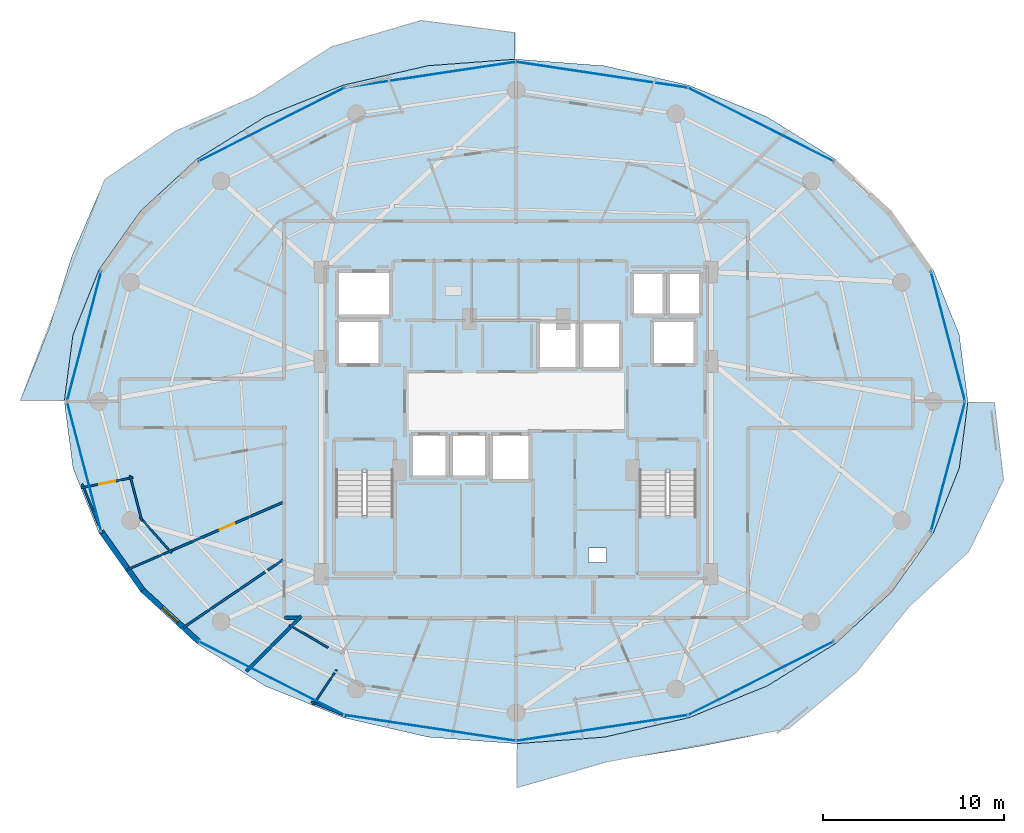
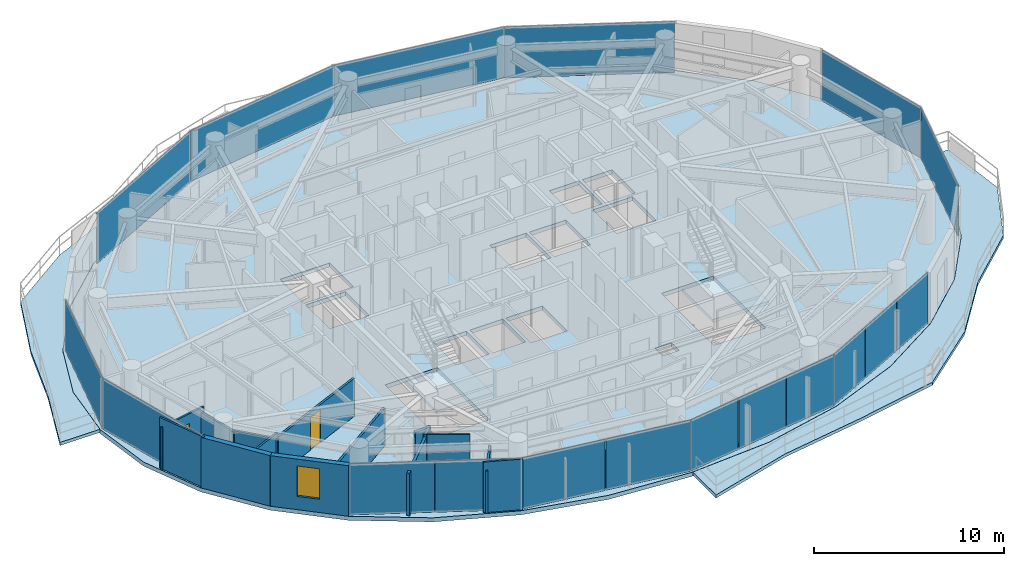
# One storey, part 21 of 31: 18 plates, 15 walls, 5 slabs, 2 doors, 1 window, 3 openings, 6 elements without a shape of their own.
"""IFC4 building model written with IfcOpenShell, lengths in metres."""

from ifc_helpers import new_model, si_unit, direction, frame, frame_2d, origin, origin_2d, place, context, subcontext, project, spatial, polyline, rectangle, outline, extrude, material, layer, layer_set, type_object, element, fill, aggregate, save


model = new_model("IFC4")

# Units and contexts
model_context = context("Model", 3, precision=1e-05, world=origin(), true_north=direction((0.0, 1.0)))
body_context = subcontext(model_context, "Body", "Model", "MODEL_VIEW")
ifc_project = project(units=[si_unit("LENGTHUNIT", "METRE"), si_unit("AREAUNIT", "SQUARE_METRE"), si_unit("VOLUMEUNIT", "CUBIC_METRE"), si_unit("PLANEANGLEUNIT", "RADIAN"), si_unit("MASSUNIT", "GRAM", prefix="KILO")], contexts=[model_context])

# Site, building, storey
site_placement = place(None, origin())
site = spatial("IfcSite", under=ifc_project, at=site_placement, CompositionType="ELEMENT")
building_placement = place(site_placement, origin())
building = spatial("IfcBuilding", under=site, at=building_placement, Name="Vorneva Point Tower", CompositionType="ELEMENT")
storey_placement = place(building_placement, frame((0.0, 0.0, 132.60009765625)))
storey = spatial("IfcBuildingStorey", under=building, at=storey_placement, Name="L35", CompositionType="ELEMENT", Elevation=132.60009765625)

# Curtain wall, plates
ifc_material_1 = material(Name="Pale anodised aluminium", Category="aluminium")
curtain_wall_type = type_object("IfcCurtainWallType", Name="CW-RES-SYS", PredefinedType="NOTDEFINED", material=ifc_material_1)
curtain_wall_1_placement = place(storey_placement, origin())
curtain_wall_1 = element("IfcCurtainWall", 1, at=curtain_wall_1_placement, inside=storey, type_object=curtain_wall_type, Name="L35 Unitised Curtain Wall CW-L35-R01", PredefinedType="NOTDEFINED")
ifc_material_2 = material(Name="Double low-e laminated glass IGU", Category="glass")
ifc_layer_1 = layer(ifc_material_2, 0.035888671875)
ifc_layer_set_1 = layer_set([ifc_layer_1], Name="Double low-e laminated glass IGU")
plate_type = type_object("IfcPlateType", Name="CW-PNL-VIS", PredefinedType="CURTAIN_PANEL", material=ifc_layer_set_1)
plate_1_placement = place(storey_placement, frame((61.856201171875, 22.412353515625, -0.02001953125), z_axis=(0.0, 0.0, 1.0), x_axis=(0.254433162972, 0.967090360608, 0.0)))
plate_1 = element("IfcPlate", 2, at=plate_1_placement, type_object=plate_type, Name="CW-L35-R01 Glazed Panel 01", PredefinedType="CURTAIN_PANEL", context=body_context, shape_type="SweptSolid", body=[
    extrude(rectangle(XDim=7.369384765625, YDim=0.035888671875, at=origin_2d()), origin(), (0.0, 0.0, 1.0), 3.280029296875),
])
plate_2_placement = place(storey_placement, frame((61.856201171875, 29.587646484375, -0.02001953125), z_axis=(0.0, 0.0, 1.0), x_axis=(-0.254433162972, 0.967090360608, 0.0)))
plate_2 = element("IfcPlate", 3, at=plate_2_placement, type_object=plate_type, Name="CW-L35-R01 Glazed Panel 02", PredefinedType="CURTAIN_PANEL", context=body_context, shape_type="SweptSolid", body=[
    extrude(rectangle(XDim=7.369384765625, YDim=0.035888671875, at=origin_2d()), origin(), (0.0, 0.0, 1.0), 3.280029296875),
])
aggregate(curtain_wall_1, [plate_1, plate_2])

curtain_wall_2_placement = place(storey_placement, origin())
curtain_wall_2 = element("IfcCurtainWall", 4, at=curtain_wall_2_placement, inside=storey, type_object=curtain_wall_type, Name="L35 Unitised Curtain Wall CW-L35-R02", PredefinedType="NOTDEFINED")
plate_3_placement = place(storey_placement, frame((51.513427734375, 41.29052734375, -0.02001953125), z_axis=(0.0, 0.0, 1.0), x_axis=(-0.892577949019, 0.450893119182, 0.0)))
plate_3 = element("IfcPlate", 5, at=plate_3_placement, type_object=plate_type, Name="CW-L35-R02 Glazed Panel 01", PredefinedType="CURTAIN_PANEL", context=body_context, shape_type="SweptSolid", body=[
    extrude(rectangle(XDim=8.964111328125, YDim=0.035888671875, at=origin_2d()), origin(), (0.0, 0.0, 1.0), 3.280029296875),
])
plate_4_placement = place(storey_placement, frame((42.7451171875, 44.036376953125, -0.02001953125), z_axis=(0.0, 0.0, 1.0), x_axis=(-0.988878712919, 0.148724211669, 0.0)))
plate_4 = element("IfcPlate", 6, at=plate_4_placement, type_object=plate_type, Name="CW-L35-R02 Glazed Panel 02", PredefinedType="CURTAIN_PANEL", context=body_context, shape_type="SweptSolid", body=[
    extrude(rectangle(XDim=9.547119140625, YDim=0.035888671875, at=origin_2d()), origin(), (0.0, 0.0, 1.0), 3.280029296875),
])
plate_5_placement = place(storey_placement, frame((33.2548828125, 44.036376953125, -0.02001953125), z_axis=(0.0, 0.0, 1.0), x_axis=(-0.988878712919, -0.148724211669, 0.0)))
plate_5 = element("IfcPlate", 7, at=plate_5_placement, type_object=plate_type, Name="CW-L35-R02 Glazed Panel 03", PredefinedType="CURTAIN_PANEL", context=body_context, shape_type="SweptSolid", body=[
    extrude(rectangle(XDim=9.547119140625, YDim=0.035888671875, at=origin_2d()), origin(), (0.0, 0.0, 1.0), 3.280029296875),
])
plate_6_placement = place(storey_placement, frame((24.486572265625, 41.29052734375, -0.02001953125), z_axis=(0.0, 0.0, 1.0), x_axis=(-0.892577949019, -0.450893119182, 0.0)))
plate_6 = element("IfcPlate", 8, at=plate_6_placement, type_object=plate_type, Name="CW-L35-R02 Glazed Panel 04", PredefinedType="CURTAIN_PANEL", context=body_context, shape_type="SweptSolid", body=[
    extrude(rectangle(XDim=8.964111328125, YDim=0.035888671875, at=origin_2d()), origin(), (0.0, 0.0, 1.0), 3.280029296875),
])
aggregate(curtain_wall_2, [plate_3, plate_4, plate_5, plate_6])

curtain_wall_3_placement = place(storey_placement, origin())
curtain_wall_3 = element("IfcCurtainWall", 9, at=curtain_wall_3_placement, inside=storey, type_object=curtain_wall_type, Name="L35 Unitised Curtain Wall CW-L35-R03", PredefinedType="NOTDEFINED")
plate_7_placement = place(storey_placement, frame((14.143798828125, 29.587646484375, -0.02001953125), z_axis=(0.0, 0.0, 1.0), x_axis=(-0.254433162972, -0.967090360608, 0.0)))
plate_7 = element("IfcPlate", 10, at=plate_7_placement, type_object=plate_type, Name="CW-L35-R03 Glazed Panel 01", PredefinedType="CURTAIN_PANEL", context=body_context, shape_type="SweptSolid", body=[
    extrude(rectangle(XDim=7.369384765625, YDim=0.035888671875, at=origin_2d()), origin(), (0.0, 0.0, 1.0), 3.280029296875),
])
plate_8_placement = place(storey_placement, frame((14.143798828125, 22.412353515625, -0.02001953125), z_axis=(0.0, 0.0, 1.0), x_axis=(0.254433162972, -0.967090360608, 0.0)))
plate_8 = element("IfcPlate", 11, at=plate_8_placement, type_object=plate_type, Name="CW-L35-R03 Glazed Panel 02", PredefinedType="CURTAIN_PANEL", context=body_context, shape_type="SweptSolid", body=[
    extrude(rectangle(XDim=7.369384765625, YDim=0.035888671875, at=origin_2d()), origin(), (0.0, 0.0, 1.0), 3.280029296875),
])
aggregate(curtain_wall_3, [plate_7, plate_8])

curtain_wall_4_placement = place(storey_placement, origin())
curtain_wall_4 = element("IfcCurtainWall", 12, at=curtain_wall_4_placement, inside=storey, type_object=curtain_wall_type, Name="L35 Unitised Curtain Wall CW-L35-R04", PredefinedType="NOTDEFINED")
plate_9_placement = place(storey_placement, frame((22.47509765625, 11.7255859375, -0.02001953125), z_axis=(0.0, 0.0, 1.0), x_axis=(0.892577949019, -0.450893119182, 0.0)))
plate_9 = element("IfcPlate", 13, at=plate_9_placement, type_object=plate_type, Name="CW-L35-R04 Glazed Panel 01A", PredefinedType="CURTAIN_PANEL", context=body_context, shape_type="SweptSolid", body=[
    extrude(rectangle(XDim=4.45703125, YDim=0.035888671875, at=origin_2d()), origin(), (0.0, 0.0, 1.0), 3.280029296875),
])
plate_10_placement = place(storey_placement, frame((26.498046875, 9.693359375, -0.02001953125), z_axis=(0.0, 0.0, 1.0), x_axis=(0.892577949019, -0.450893119182, 0.0)))
plate_10 = element("IfcPlate", 14, at=plate_10_placement, type_object=plate_type, Name="CW-L35-R04 Glazed Panel 01B", PredefinedType="CURTAIN_PANEL", context=body_context, shape_type="SweptSolid", body=[
    extrude(rectangle(XDim=4.45703125, YDim=0.035888671875, at=origin_2d()), origin(), (0.0, 0.0, 1.0), 3.280029296875),
])
plate_11_placement = place(storey_placement, frame((30.882080078125, 8.320556640625, -0.02001953125), z_axis=(0.0, 0.0, 1.0), x_axis=(0.988878712919, -0.148724211669, 0.0)))
plate_11 = element("IfcPlate", 15, at=plate_11_placement, type_object=plate_type, Name="CW-L35-R04 Glazed Panel 02A", PredefinedType="CURTAIN_PANEL", context=body_context, shape_type="SweptSolid", body=[
    extrude(rectangle(XDim=4.74853515625, YDim=0.035888671875, at=origin_2d()), origin(), (0.0, 0.0, 1.0), 3.280029296875),
])
plate_12_placement = place(storey_placement, frame((35.62744140625, 7.606689453125, -0.02001953125), z_axis=(0.0, 0.0, 1.0), x_axis=(0.988878712919, -0.148724211669, 0.0)))
plate_12 = element("IfcPlate", 16, at=plate_12_placement, type_object=plate_type, Name="CW-L35-R04 Glazed Panel 02B", PredefinedType="CURTAIN_PANEL", context=body_context, shape_type="SweptSolid", body=[
    extrude(rectangle(XDim=4.74853515625, YDim=0.035888671875, at=origin_2d()), origin(), (0.0, 0.0, 1.0), 3.280029296875),
])
plate_13_placement = place(storey_placement, frame((39.581787109375, 7.48779296875, -0.02001953125), z_axis=(0.0, 0.0, 1.0), x_axis=(0.988878712919, 0.148724211669, 0.0)))
plate_13 = element("IfcPlate", 17, at=plate_13_placement, type_object=plate_type, Name="CW-L35-R04 Glazed Panel 03A", PredefinedType="CURTAIN_PANEL", context=body_context, shape_type="SweptSolid", body=[
    extrude(rectangle(XDim=3.149169921875, YDim=0.035888671875, at=origin_2d()), origin(), (0.0, 0.0, 1.0), 3.280029296875),
])
plate_14_placement = place(storey_placement, frame((42.7451171875, 7.963623046875, -0.02001953125), z_axis=(0.0, 0.0, 1.0), x_axis=(0.988878712919, 0.148724211669, 0.0)))
plate_14 = element("IfcPlate", 18, at=plate_14_placement, type_object=plate_type, Name="CW-L35-R04 Glazed Panel 03B", PredefinedType="CURTAIN_PANEL", context=body_context, shape_type="SweptSolid", body=[
    extrude(rectangle(XDim=3.149169921875, YDim=0.035888671875, at=origin_2d()), origin(), (0.0, 0.0, 1.0), 3.280029296875),
])
plate_15_placement = place(storey_placement, frame((45.90869140625, 8.439453125, -0.02001953125), z_axis=(0.0, 0.0, 1.0), x_axis=(0.988878712919, 0.148724211669, 0.0)))
plate_15 = element("IfcPlate", 19, at=plate_15_placement, type_object=plate_type, Name="CW-L35-R04 Glazed Panel 03C", PredefinedType="CURTAIN_PANEL", context=body_context, shape_type="SweptSolid", body=[
    extrude(rectangle(XDim=3.149169921875, YDim=0.035888671875, at=origin_2d()), origin(), (0.0, 0.0, 1.0), 3.280029296875),
])
plate_16_placement = place(storey_placement, frame((48.831298828125, 9.354736328125, -0.02001953125), z_axis=(0.0, 0.0, 1.0), x_axis=(0.892577949019, 0.450893119182, 0.0)))
plate_16 = element("IfcPlate", 20, at=plate_16_placement, type_object=plate_type, Name="CW-L35-R04 Glazed Panel 04A", PredefinedType="CURTAIN_PANEL", context=body_context, shape_type="SweptSolid", body=[
    extrude(rectangle(XDim=2.95458984375, YDim=0.035888671875, at=origin_2d()), origin(), (0.0, 0.0, 1.0), 3.280029296875),
])
plate_17_placement = place(storey_placement, frame((51.513427734375, 10.70947265625, -0.02001953125), z_axis=(0.0, 0.0, 1.0), x_axis=(0.892577949019, 0.450893119182, 0.0)))
plate_17 = element("IfcPlate", 21, at=plate_17_placement, type_object=plate_type, Name="CW-L35-R04 Glazed Panel 04B", PredefinedType="CURTAIN_PANEL", context=body_context, shape_type="SweptSolid", body=[
    extrude(rectangle(XDim=2.95458984375, YDim=0.035888671875, at=origin_2d()), origin(), (0.0, 0.0, 1.0), 3.280029296875),
])
plate_18_placement = place(storey_placement, frame((54.1953125, 12.064208984375, -0.02001953125), z_axis=(0.0, 0.0, 1.0), x_axis=(0.892577949019, 0.450893119182, 0.0)))
plate_18 = element("IfcPlate", 22, at=plate_18_placement, type_object=plate_type, Name="CW-L35-R04 Glazed Panel 04C", PredefinedType="CURTAIN_PANEL", context=body_context, shape_type="SweptSolid", body=[
    extrude(rectangle(XDim=2.95458984375, YDim=0.035888671875, at=origin_2d()), origin(), (0.0, 0.0, 1.0), 3.280029296875),
])
aggregate(curtain_wall_4, [plate_9, plate_10, plate_11, plate_12, plate_13, plate_14, plate_15, plate_16, plate_17, plate_18])

# Slabs
ifc_material_3 = material(Name="Concrete B50 (C40/50)", Category="concrete")
ifc_layer_2 = layer(ifc_material_3, 0.199951171875)
ifc_layer_set_2 = layer_set([ifc_layer_2], Name="Concrete B50 (C40/50)")
slab_type_1 = type_object("IfcSlabType", Name="SLB-BAL-200", PredefinedType="FLOOR", material=ifc_layer_set_2)
slab_1_placement = place(storey_placement, frame((0.0, 0.0, -0.2001953125)))
element("IfcSlab", 23, at=slab_1_placement, inside=storey, type_object=slab_type_1, Name="L35 Cantilevered Wave Balcony NW", PredefinedType="FLOOR", context=body_context, shape_type="SweptSolid", body=[
    extrude(outline(polyline([(10.624755859375, 26.050048828125), (13.052490234375, 26.050048828125), (13.525390625, 29.687744140625), (13.525390625, 29.68798828125), (13.525634765625, 29.6884765625), (13.525634765625, 29.688720703125), (14.945556640625, 33.234130859375), (14.94580078125, 33.234619140625), (14.94580078125, 33.235107421875), (17.25146484375, 36.502685546875), (17.251708984375, 36.5029296875), (17.252197265625, 36.503173828125), (20.35498046875, 39.3671875), (20.355224609375, 39.367431640625), (20.355712890625, 39.36767578125), (24.136474609375, 41.71826171875), (24.13671875, 41.718505859375), (24.136962890625, 41.718505859375), (28.450439453125, 43.465087890625), (28.45068359375, 43.465087890625), (28.451171875, 43.465087890625), (33.131591796875, 44.540771484375), (33.1318359375, 44.540771484375), (33.132080078125, 44.540771484375), (37.949951171875, 44.900390625), (37.949951171875, 46.361572265625), (32.755126953125, 47.04052734375), (27.7880859375, 45.577392578125), (23.56787109375, 42.842041015625), (19.18017578125, 40.918701171875), (15.277587890625, 38.244384765625), (13.473388671875, 34.039794921875), (12.206298828125, 30.03466796875), (10.624755859375, 26.050048828125)])), origin(), (0.0, 0.0, 1.0), 0.2001953125),
])
slab_2_placement = place(storey_placement, frame((0.0, 0.0, -0.2001953125)))
element("IfcSlab", 24, at=slab_2_placement, inside=storey, type_object=slab_type_1, Name="L35 Cantilevered Wave Balcony SE", PredefinedType="FLOOR", context=body_context, shape_type="SweptSolid", body=[
    extrude(outline(polyline([(64.919677734375, 21.669677734375), (64.410888671875, 25.949951171875), (62.947509765625, 25.949951171875), (62.474609375, 22.312255859375), (62.474609375, 22.31201171875), (62.474365234375, 22.3115234375), (62.474365234375, 22.311279296875), (61.054443359375, 18.765869140625), (61.05419921875, 18.765380859375), (61.05419921875, 18.764892578125), (58.74853515625, 15.497314453125), (58.748291015625, 15.4970703125), (58.747802734375, 15.496826171875), (55.64501953125, 12.6328125), (55.644775390625, 12.632568359375), (55.644287109375, 12.63232421875), (51.863525390625, 10.28173828125), (51.86328125, 10.281494140625), (51.863037109375, 10.281494140625), (47.549560546875, 8.534912109375), (47.54931640625, 8.534912109375), (47.548828125, 8.534912109375), (42.868408203125, 7.459228515625), (42.8681640625, 7.459228515625), (42.867919921875, 7.459228515625), (38.050048828125, 7.099609375), (38.050048828125, 4.66943359375), (43.0712890625, 6.110595703125), (48.051513671875, 6.93359375), (53.052001953125, 7.932861328125), (56.81982421875, 11.081298828125), (59.692626953125, 14.663818359375), (62.996826171875, 17.703125), (64.919677734375, 21.669677734375)])), origin(), (0.0, 0.0, 1.0), 0.2001953125),
])

# Stair, slab
stair_type = type_object("IfcStairType", Name="ST-DOG-1500", PredefinedType="HALF_TURN_STAIR", material=ifc_material_3)
stair_1_placement = place(storey_placement, origin())
stair_1 = element("IfcStair", 25, at=stair_1_placement, inside=storey, type_object=stair_type, Name="L35 ST1", PredefinedType="HALF_TURN_STAIR")
ifc_layer_3 = layer(ifc_material_3, 0.199951171875)
ifc_layer_set_3 = layer_set([ifc_layer_3], Name="Concrete B50 (C40/50)")
slab_type_2 = type_object("IfcSlabType", Name="SLB-LND-200", PredefinedType="LANDING", material=ifc_layer_set_3)
slab_3_placement = place(storey_placement, frame((0.0, 0.0, 1.5498046875)))
slab_3 = element("IfcSlab", 26, at=slab_3_placement, type_object=slab_type_2, Name="ST1 landing 1", PredefinedType="LANDING", context=body_context, shape_type="SweptSolid", body=[
    extrude(outline(polyline([(27.929931640625, 16.47998046875), (31.320068359375, 16.47998046875), (31.320068359375, 19.72998046875), (27.929931640625, 19.72998046875), (27.929931640625, 16.47998046875)])), origin(), (0.0, 0.0, 1.0), 0.2001953125),
])
aggregate(stair_1, [slab_3])

stair_2_placement = place(storey_placement, origin())
stair_2 = element("IfcStair", 27, at=stair_2_placement, inside=storey, type_object=stair_type, Name="L35 ST2", PredefinedType="HALF_TURN_STAIR")
slab_4_placement = place(storey_placement, frame((0.0, 0.0, 1.5498046875)))
slab_4 = element("IfcSlab", 28, at=slab_4_placement, type_object=slab_type_2, Name="ST2 landing 1", PredefinedType="LANDING", context=body_context, shape_type="SweptSolid", body=[
    extrude(outline(polyline([(44.679931640625, 16.47998046875), (48.070068359375, 16.47998046875), (48.070068359375, 19.72998046875), (44.679931640625, 19.72998046875), (44.679931640625, 16.47998046875)])), origin(), (0.0, 0.0, 1.0), 0.2001953125),
])
aggregate(stair_2, [slab_4])

# Slab
ifc_layer_4 = layer(ifc_material_3, 0.260009765625)
ifc_layer_set_4 = layer_set([ifc_layer_4], Name="Concrete B50 (C40/50)")
slab_type_3 = type_object("IfcSlabType", Name="SLB-TYP-260", PredefinedType="FLOOR", material=ifc_layer_set_4)
slab_5_placement = place(storey_placement, frame((0.0, 0.0, -0.260009765625)))
element("IfcSlab", 29, at=slab_5_placement, inside=storey, type_object=slab_type_3, Name="L35 Structural Floor Plate", PredefinedType="FLOOR", context=body_context, shape_type="SweptSolid", body=[
    extrude(outline(polyline([(62.949951171875, 26.0), (62.470703125, 29.687255859375), (61.05078125, 33.232666015625), (58.7451171875, 36.500244140625), (55.642333984375, 39.3642578125), (51.861572265625, 41.71484375), (47.548095703125, 43.461181640625), (42.867431640625, 44.536865234375), (38.0, 44.89990234375), (33.132568359375, 44.536865234375), (28.451904296875, 43.461181640625), (24.138427734375, 41.71484375), (20.357666015625, 39.3642578125), (17.2548828125, 36.500244140625), (14.94921875, 33.232666015625), (13.529296875, 29.687255859375), (13.050048828125, 26.0), (13.529296875, 22.312744140625), (14.94921875, 18.767333984375), (17.2548828125, 15.499755859375), (20.357666015625, 12.6357421875), (24.138427734375, 10.28515625), (28.451904296875, 8.538818359375), (33.132568359375, 7.463134765625), (38.0, 7.10009765625), (42.867431640625, 7.463134765625), (47.548095703125, 8.538818359375), (51.861572265625, 10.28515625), (55.642333984375, 12.6357421875), (58.7451171875, 15.499755859375), (61.05078125, 18.767333984375), (62.470703125, 22.312744140625), (62.949951171875, 26.0)]), holes=[polyline([(32.199951171875, 21.800048828125), (34.199951171875, 21.800048828125), (34.199951171875, 24.199951171875), (32.199951171875, 24.199951171875), (32.199951171875, 21.800048828125)]), polyline([(34.39990234375, 21.800048828125), (36.39990234375, 21.800048828125), (36.39990234375, 24.199951171875), (34.39990234375, 24.199951171875), (34.39990234375, 21.800048828125)]), polyline([(36.60009765625, 21.60009765625), (38.800048828125, 21.60009765625), (38.800048828125, 24.199951171875), (36.60009765625, 24.199951171875), (36.60009765625, 21.60009765625)]), polyline([(39.199951171875, 27.800048828125), (41.39990234375, 27.800048828125), (41.39990234375, 30.39990234375), (39.199951171875, 30.39990234375), (39.199951171875, 27.800048828125)]), polyline([(41.60009765625, 27.800048828125), (43.800048828125, 27.800048828125), (43.800048828125, 30.39990234375), (41.60009765625, 30.39990234375), (41.60009765625, 27.800048828125)]), polyline([(44.39990234375, 30.739990234375), (46.199951171875, 30.739990234375), (46.199951171875, 33.159912109375), (44.39990234375, 33.159912109375), (44.39990234375, 30.739990234375)]), polyline([(46.39990234375, 30.739990234375), (48.199951171875, 30.739990234375), (48.199951171875, 33.159912109375), (46.39990234375, 33.159912109375), (46.39990234375, 30.739990234375)]), polyline([(28.10009765625, 28.0), (30.5, 28.0), (30.5, 30.5), (28.10009765625, 30.5), (28.10009765625, 28.0)]), polyline([(45.5, 28.0), (47.89990234375, 28.0), (47.89990234375, 30.5), (45.5, 30.5), (45.5, 28.0)]), polyline([(28.10009765625, 30.699951171875), (31.10009765625, 30.699951171875), (31.10009765625, 33.199951171875), (28.10009765625, 33.199951171875), (28.10009765625, 30.699951171875)]), polyline([(28.050048828125, 16.60009765625), (31.199951171875, 16.60009765625), (31.199951171875, 22.080078125), (28.050048828125, 22.080078125), (28.050048828125, 16.60009765625)]), polyline([(44.800048828125, 16.60009765625), (47.949951171875, 16.60009765625), (47.949951171875, 22.080078125), (44.800048828125, 22.080078125), (44.800048828125, 16.60009765625)]), polyline([(42.0, 17.10009765625), (43.0, 17.10009765625), (43.0, 17.89990234375), (42.0, 17.89990234375), (42.0, 17.10009765625)])]), origin(), (0.0, 0.0, 1.0), 0.260009765625),
])

# Wall
ifc_material_4 = material(Name="Precast concrete B50 (C40/50)", Category="concrete")
ifc_layer_5 = layer(ifc_material_4, 0.300048828125)
ifc_layer_set_5 = layer_set([ifc_layer_5], Name="Precast concrete B50 (C40/50)")
wall_type_1 = type_object("IfcWallType", Name="WL-EXT-300", PredefinedType="STANDARD", material=ifc_layer_set_5)
wall_1_placement = place(storey_placement, frame((15.087890625, 18.82470703125, 0.0), z_axis=(0.0, 0.0, 1.0), x_axis=(0.577269753207, -0.816553508371, 0.0)))
element("IfcWall", 30, at=wall_1_placement, inside=storey, type_object=wall_type_1, Name="L35 Pale-Metal Facade Spandrel Wall 10.1", PredefinedType="STANDARD", context=body_context, shape_type="SweptSolid", body=[
    extrude(rectangle(XDim=3.969970703125, YDim=0.300048828125, at=frame_2d((1.98486328125, 0.0))), origin(), (0.0, 0.0, 1.0), 3.239990234375),
])

# Wall, opening, window
wall_2_placement = place(storey_placement, frame((17.379638671875, 15.5830078125, 0.0), z_axis=(0.0, 0.0, 1.0), x_axis=(0.735477154165, -0.677549522693, 0.0)))
wall_2 = element("IfcWall", 31, at=wall_2_placement, inside=storey, type_object=wall_type_1, Name="L35 Pale-Metal Facade Spandrel Wall 10.2", PredefinedType="STANDARD", context=body_context, shape_type="SweptSolid", body=[
    extrude(rectangle(XDim=4.193603515625, YDim=0.300048828125, at=frame_2d((2.0966796875, 0.0))), origin(), (0.0, 0.0, 1.0), 3.239990234375),
])
opening_1_placement = place(wall_2_placement, frame((1.437744140625, 0.0, 0.85009765625)))
opening_1 = element("IfcOpeningElement", 32, at=opening_1_placement, cuts=wall_2, Name="Opening W-04", PredefinedType="OPENING", context=body_context, shape_type="SweptSolid", body=[
    extrude(rectangle(XDim=1.199951171875, YDim=1.949951171875, at=frame_2d((0.60009765625, 0.97509765625))), frame((0.0, 0.1650390625, 0.0), z_axis=(0.0, -1.0, 0.0), x_axis=(1.0, 0.0, 0.0)), (0.0, 0.0, 1.0), 0.329833984375),
])
window_type = type_object("IfcWindowType", Name="WN-RES-1200", PartitioningType="SINGLE_PANEL", PredefinedType="WINDOW", material=ifc_material_2)
window_placement = place(opening_1_placement, origin())
window = element("IfcWindow", 33, at=window_placement, inside=storey, type_object=window_type, Name="L35 Dwelling Vision Window 01", OverallHeight=1.949951171875, OverallWidth=1.199951171875, PartitioningType="SINGLE_PANEL", PredefinedType="WINDOW", context=body_context, shape_type="SweptSolid", body=[
    extrude(rectangle(XDim=1.199951171875, YDim=1.949951171875, at=frame_2d((0.60009765625, 0.97509765625))), frame((0.0, 0.030029296875, 0.0), z_axis=(0.0, -1.0, 0.0), x_axis=(1.0, 0.0, 0.0)), (0.0, 0.0, 1.0), 0.06005859375),
])
fill(opening_1, window)

# Wall, opening, door
ifc_material_5 = material(Name="Fire-rated acoustic gypsum stud partition", Category="gypsum")
ifc_layer_6 = layer(ifc_material_5, 0.110107421875)
ifc_layer_set_6 = layer_set([ifc_layer_6], Name="Fire-rated acoustic gypsum stud partition")
wall_type_2 = type_object("IfcWallType", Name="WL-PART-110", PredefinedType="PARTITIONING", material=ifc_layer_set_6)
wall_3_placement = place(storey_placement, frame((13.976806640625, 21.229736328125, 0.0), z_axis=(0.0, 0.0, 1.0), x_axis=(0.980903189798, 0.194496612425, 0.0)))
wall_3 = element("IfcWall", 34, at=wall_3_placement, inside=storey, type_object=wall_type_2, Name="L35 Interior Partition 106", PredefinedType="PARTITIONING", context=body_context, shape_type="SweptSolid", body=[
    extrude(rectangle(XDim=2.928466796875, YDim=0.110107421875, at=frame_2d((1.46435546875, 0.0))), origin(), (0.0, 0.0, 1.0), 2.727783203125),
])
opening_2_placement = place(wall_3_placement, frame((1.01416015625, 0.0, 0.0)))
opening_2 = element("IfcOpeningElement", 35, at=opening_2_placement, cuts=wall_3, Name="Opening ID-01", PredefinedType="OPENING", context=body_context, shape_type="SweptSolid", body=[
    extrude(rectangle(XDim=0.89990234375, YDim=2.10009765625, at=frame_2d((0.449951171875, 1.050048828125))), frame((0.0, 0.06982421875, 0.0), z_axis=(0.0, -1.0, 0.0), x_axis=(1.0, 0.0, 0.0)), (0.0, 0.0, 1.0), 0.139892578125),
])
ifc_material_6 = material(Name="Engineered oak fire-rated door leaf", Category="wood")
door_type = type_object("IfcDoorType", Name="DR-ROOM-900", OperationType="NOTDEFINED", PredefinedType="DOOR", material=ifc_material_6)
door_1_placement = place(opening_2_placement, origin())
door_1 = element("IfcDoor", 36, at=door_1_placement, inside=storey, type_object=door_type, Name="L35 Door Living and Dining Room L35-05 / Kitchen L35-05", OperationType="SINGLE_SWING_LEFT", OverallHeight=2.10009765625, OverallWidth=0.89990234375, PredefinedType="DOOR", context=body_context, shape_type="SweptSolid", body=[
    extrude(rectangle(XDim=0.89990234375, YDim=2.10009765625, at=frame_2d((0.449951171875, 1.050048828125))), frame((0.0, 0.02490234375, 0.0), z_axis=(0.0, -1.0, 0.0), x_axis=(1.0, 0.0, 0.0)), (0.0, 0.0, 1.0), 0.050048828125),
])
fill(opening_2, door_1)

# Walls
wall_4_placement = place(storey_placement, frame((16.676513671875, 21.907470703125, 0.0), z_axis=(0.0, 0.0, 1.0), x_axis=(0.254263226868, -0.967135053373, 0.0)))
element("IfcWall", 37, at=wall_4_placement, inside=storey, type_object=wall_type_2, Name="L35 Interior Partition 107", PredefinedType="PARTITIONING", context=body_context, shape_type="SweptSolid", body=[
    extrude(rectangle(XDim=2.61181640625, YDim=0.110107421875, at=frame_2d((1.305908203125, 0.0))), origin(), (0.0, 0.0, 1.0), 2.431884765625),
])
wall_5_placement = place(storey_placement, frame((17.21240234375, 19.621826171875, 0.0), z_axis=(0.0, 0.0, 1.0), x_axis=(0.662196601313, -0.749330141666, 0.0)))
element("IfcWall", 38, at=wall_5_placement, inside=storey, type_object=wall_type_2, Name="L35 Interior Partition 108", PredefinedType="PARTITIONING", context=body_context, shape_type="SweptSolid", body=[
    extrude(rectangle(XDim=2.66748046875, YDim=0.110107421875, at=frame_2d((1.333740234375, 0.0))), origin(), (0.0, 0.0, 1.0), 2.431884765625),
])
wall_6_placement = place(storey_placement, frame((14.0400390625, 21.443115234375, 0.0), z_axis=(0.0, 0.0, 1.0), x_axis=(0.371490730185, -0.928436663099, 0.0)))
element("IfcWall", 39, at=wall_6_placement, inside=storey, type_object=wall_type_2, Name="L35 Interior Partition 109", PredefinedType="PARTITIONING", context=body_context, shape_type="SweptSolid", body=[
    extrude(rectangle(XDim=2.94482421875, YDim=0.110107421875, at=frame_2d((1.472412109375, 0.0))), origin(), (0.0, 0.0, 1.0), 3.239990234375),
])
wall_7_placement = place(storey_placement, frame((16.443603515625, 16.67138671875, 0.0), z_axis=(0.0, 0.0, 1.0), x_axis=(0.91777806569, 0.39709371959, 0.0)))
element("IfcWall", 40, at=wall_7_placement, inside=storey, type_object=wall_type_2, Name="L35 Interior Partition 111", PredefinedType="PARTITIONING", context=body_context, shape_type="SweptSolid", body=[
    extrude(rectangle(XDim=2.801025390625, YDim=0.110107421875, at=frame_2d((1.400390625, 0.0))), origin(), (0.0, 0.0, 1.0), 2.727783203125),
])
wall_8_placement = place(storey_placement, frame((27.610595703125, 12.398681640625, 0.0), z_axis=(0.0, 0.0, 1.0), x_axis=(-0.860546797705, 0.509371386082, 0.0)))
element("IfcWall", 41, at=wall_8_placement, inside=storey, type_object=wall_type_2, Name="L35 Interior Partition 117", PredefinedType="PARTITIONING", context=body_context, shape_type="SweptSolid", body=[
    extrude(rectangle(XDim=2.484619140625, YDim=0.110107421875, at=frame_2d((1.2421875, 0.0))), origin(), (0.0, 0.0, 1.0), 2.8740234375),
])
wall_9_placement = place(storey_placement, frame((26.78515625, 9.2275390625, 0.0), z_axis=(0.0, 0.0, 1.0), x_axis=(0.555802936367, 0.831314077786, 0.0)))
element("IfcWall", 42, at=wall_9_placement, inside=storey, type_object=wall_type_2, Name="L35 Interior Partition 118", PredefinedType="PARTITIONING", context=body_context, shape_type="SweptSolid", body=[
    extrude(rectangle(XDim=2.34912109375, YDim=0.110107421875, at=frame_2d((1.174560546875, 0.0))), origin(), (0.0, 0.0, 1.0), 2.727783203125),
])
wall_10_placement = place(storey_placement, frame((26.67724609375, 9.41845703125, 0.0), z_axis=(0.0, 0.0, 1.0), x_axis=(0.926947774479, -0.375190382857, 0.0)))
element("IfcWall", 43, at=wall_10_placement, inside=storey, type_object=wall_type_2, Name="L35 Interior Partition 122", PredefinedType="PARTITIONING", context=body_context, shape_type="SweptSolid", body=[
    extrude(rectangle(XDim=2.10302734375, YDim=0.110107421875, at=frame_2d((1.051513671875, 0.0))), origin(), (0.0, 0.0, 1.0), 3.239990234375),
])

# Wall, opening, door
ifc_layer_7 = layer(ifc_material_5, 0.125)
ifc_layer_set_7 = layer_set([ifc_layer_7], Name="Fire-rated acoustic gypsum stud partition")
wall_type_3 = type_object("IfcWallType", Name="WL-PART-125", PredefinedType="PARTITIONING", material=ifc_layer_set_7)
wall_11_placement = place(storey_placement, frame((18.885986328125, 17.72802734375, 0.0), z_axis=(0.0, 0.0, 1.0), x_axis=(0.917722116807, 0.397223005782, 0.0)))
wall_11 = element("IfcWall", 44, at=wall_11_placement, inside=storey, type_object=wall_type_3, Name="L35 Interior Partition 110", PredefinedType="PARTITIONING", context=body_context, shape_type="SweptSolid", body=[
    extrude(rectangle(XDim=6.880126953125, YDim=0.125, at=frame_2d((3.43994140625, 0.0))), origin(), (0.0, 0.0, 1.0), 2.431884765625),
])
opening_3_placement = place(wall_11_placement, frame((2.989990234375, 0.0, 0.0)))
opening_3 = element("IfcOpeningElement", 45, at=opening_3_placement, cuts=wall_11, Name="Opening ID-01", PredefinedType="OPENING", context=body_context, shape_type="SweptSolid", body=[
    extrude(rectangle(XDim=0.89990234375, YDim=2.10009765625, at=frame_2d((0.449951171875, 1.050048828125))), frame((0.0, 0.077392578125, 0.0), z_axis=(0.0, -1.0, 0.0), x_axis=(1.0, 0.0, 0.0)), (0.0, 0.0, 1.0), 0.15478515625),
])
door_2_placement = place(opening_3_placement, origin())
door_2 = element("IfcDoor", 46, at=door_2_placement, inside=storey, type_object=door_type, Name="L35 Door Living and Dining Room L35-05 / Master Bedroom L35-05.1", OperationType="SINGLE_SWING_RIGHT", OverallHeight=2.10009765625, OverallWidth=0.89990234375, PredefinedType="DOOR", context=body_context, shape_type="SweptSolid", body=[
    extrude(rectangle(XDim=0.89990234375, YDim=2.10009765625, at=frame_2d((0.449951171875, 1.050048828125))), frame((0.0, 0.02490234375, 0.0), z_axis=(0.0, -1.0, 0.0), x_axis=(1.0, 0.0, 0.0)), (0.0, 0.0, 1.0), 0.050048828125),
])
fill(opening_3, door_2)

# Walls
wall_12_placement = place(storey_placement, frame((19.626953125, 13.513916015625, 0.0), z_axis=(0.0, 0.0, 1.0), x_axis=(0.827101009155, 0.562053307663, 0.0)))
element("IfcWall", 47, at=wall_12_placement, inside=storey, type_object=wall_type_3, Name="L35 Interior Partition 112", PredefinedType="PARTITIONING", context=body_context, shape_type="SweptSolid", body=[
    extrude(rectangle(XDim=6.738037109375, YDim=0.125, at=frame_2d((3.369140625, 0.0))), origin(), (0.0, 0.0, 1.0), 2.431884765625),
])
ifc_layer_8 = layer(ifc_material_5, 0.159912109375)
ifc_layer_set_8 = layer_set([ifc_layer_8], Name="Fire-rated acoustic gypsum stud partition")
wall_type_4 = type_object("IfcWallType", Name="WL-PART-160", PredefinedType="PARTITIONING", material=ifc_layer_set_8)
wall_13_placement = place(storey_placement, frame((23.10498046875, 11.10498046875, 0.0), z_axis=(0.0, 0.0, 1.0), x_axis=(0.707106781187, 0.707106781187, 0.0)))
element("IfcWall", 48, at=wall_13_placement, inside=storey, type_object=wall_type_4, Name="L35 Interior Partition 113", PredefinedType="PARTITIONING", context=body_context, shape_type="SweptSolid", body=[
    extrude(rectangle(XDim=3.580810546875, YDim=0.159912109375, at=frame_2d((1.79052734375, 0.0))), origin(), (0.0, 0.0, 1.0), 2.727783203125),
])
wall_14_placement = place(storey_placement, frame((25.5380859375, 13.5380859375, 0.0), z_axis=(0.0, 0.0, 1.0), x_axis=(0.707106781187, 0.707106781187, 0.0)))
element("IfcWall", 49, at=wall_14_placement, inside=storey, type_object=wall_type_4, Name="L35 Interior Partition 114", PredefinedType="PARTITIONING", context=body_context, shape_type="SweptSolid", body=[
    extrude(rectangle(XDim=0.86376953125, YDim=0.159912109375, at=frame_2d((0.431884765625, 0.0))), origin(), (0.0, 0.0, 1.0), 2.8740234375),
])
ifc_material_7 = material(Name="Autoclaved aerated concrete blockwork", Category="masonry")
ifc_layer_9 = layer(ifc_material_7, 0.179931640625)
ifc_layer_set_9 = layer_set([ifc_layer_9], Name="Autoclaved aerated concrete blockwork")
wall_type_5 = type_object("IfcWallType", Name="WL-PART-180", PredefinedType="PARTITIONING", material=ifc_layer_set_9)
wall_15_placement = place(storey_placement, frame((25.199951171875, 14.050048828125, 0.0), z_axis=(0.0, 0.0, 1.0), x_axis=(1.0, 0.0, 0.0)))
element("IfcWall", 50, at=wall_15_placement, inside=storey, type_object=wall_type_5, Name="L35 Interior Partition 056", PredefinedType="PARTITIONING", context=body_context, shape_type="SweptSolid", body=[
    extrude(rectangle(XDim=0.91015625, YDim=0.179931640625, at=frame_2d((0.455078125, 0.0))), origin(), (0.0, 0.0, 1.0), 2.8740234375),
])

save(model, "model.ifc")
